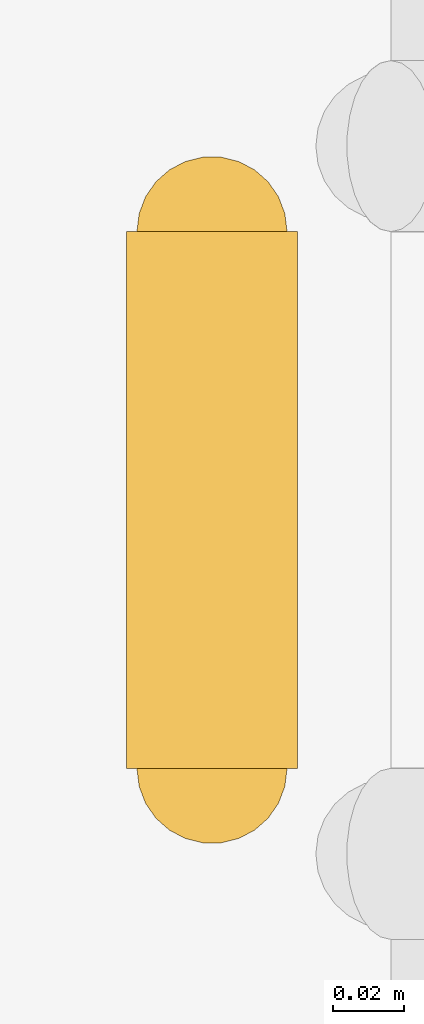
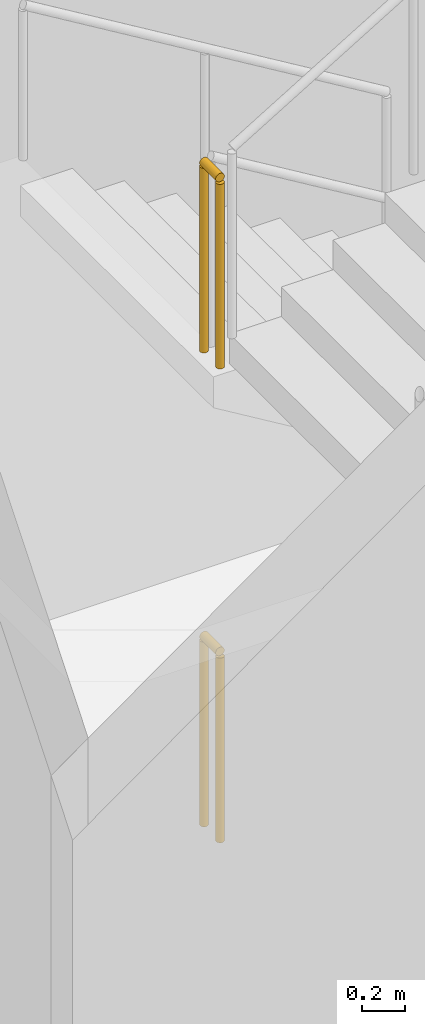
# One storey, part 74 of 101: 2 railings.
"""IFC4 building model written with IfcOpenShell, lengths in metres."""

from ifc_helpers import new_model, si_unit, direction, frame, origin, origin_2d, place, context, subcontext, project, spatial, circle, extrude, material, type_object, element, save


model = new_model("IFC4")

# Units and contexts
model_context = context("Model", 3, precision=1e-05, world=origin(), true_north=direction((0.0, 1.0)))
body_context = subcontext(model_context, "Body", "Model", "MODEL_VIEW")
ifc_project = project(units=[si_unit("LENGTHUNIT", "METRE"), si_unit("AREAUNIT", "SQUARE_METRE"), si_unit("VOLUMEUNIT", "CUBIC_METRE"), si_unit("PLANEANGLEUNIT", "RADIAN"), si_unit("MASSUNIT", "GRAM", prefix="KILO")], contexts=[model_context])

# Site, building, storey
site_placement = place(None, origin())
site = spatial("IfcSite", under=ifc_project, at=site_placement, CompositionType="ELEMENT")
building_placement = place(site_placement, origin())
building = spatial("IfcBuilding", under=site, at=building_placement, Name="Magnolia Steps Interchange", CompositionType="ELEMENT")
storey_placement = place(building_placement, frame((0.0, 0.0, -5.39990234375)))
storey = spatial("IfcBuildingStorey", under=building, at=storey_placement, Name="B1", CompositionType="ELEMENT", Elevation=-5.39990234375)

# Railings
ifc_material = material(Name="Stainless steel grade 304", Category="steel")
railing_type = type_object("IfcRailingType", Name="Stair guard 1100", PredefinedType="GUARDRAIL", material=ifc_material)
for number, where, name in (
    (1, (38.14990234375, 18.449951171875, 2.699951171875), "B1 ST25 stair guard 4"),
    (2, (38.14990234375, 18.449951171875, 0.0), "B1 ST25 stair guard 8"),
):
    element("IfcRailing", number, at=place(storey_placement, frame(where)), inside=storey, type_object=railing_type, Name=name, PredefinedType="GUARDRAIL", context=body_context, shape_type="SweptSolid", body=[
        extrude(circle(Radius=0.02392578125, at=origin_2d()), frame((0.0, 0.0, 1.076171875), z_axis=(0.0, 1.0, 0.0), x_axis=(-1.0, 0.0, 0.0)), (0.0, 0.0, 1.0), 0.150146484375),
        extrude(circle(Radius=0.02099609375, at=origin_2d()), origin(), (0.0, 0.0, 1.0), 1.052001953125),
        extrude(circle(Radius=0.02099609375, at=origin_2d()), frame((0.0, 0.150146484375, 0.0)), (0.0, 0.0, 1.0), 1.052001953125),
    ])

save(model, "model.ifc")
